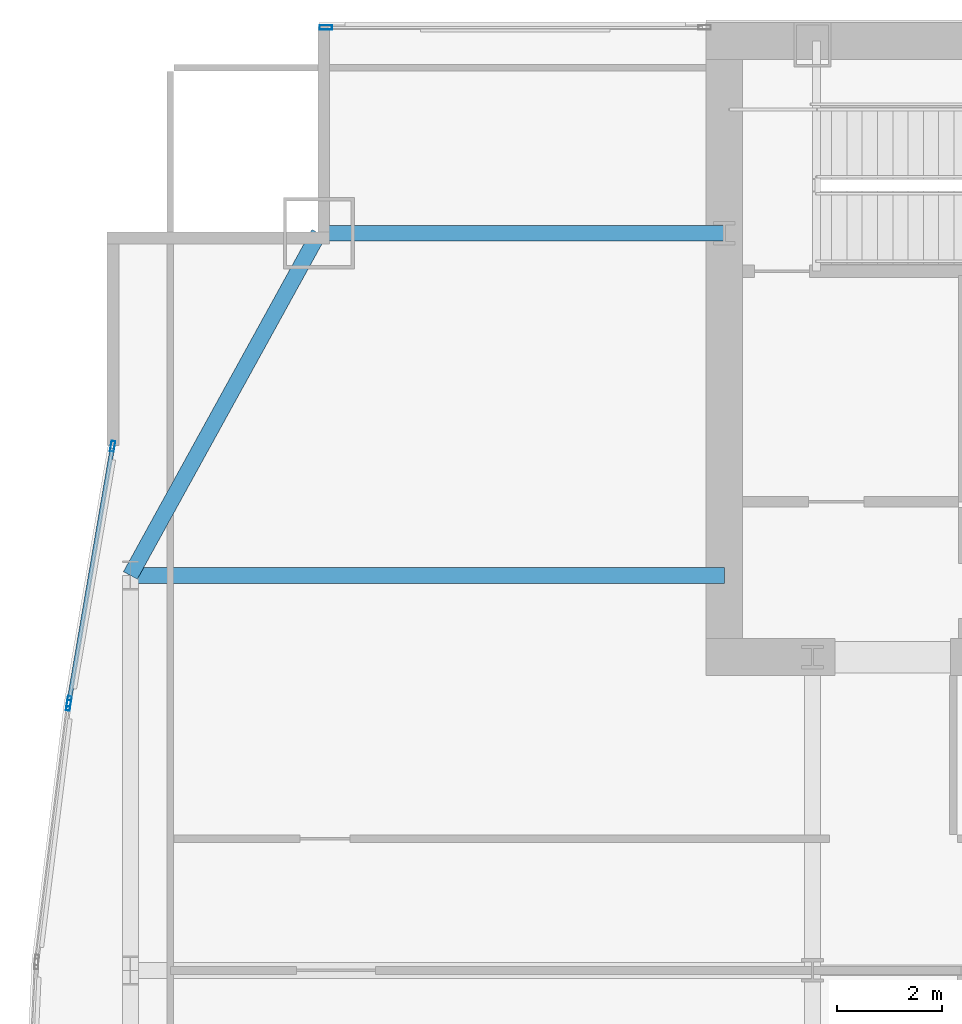
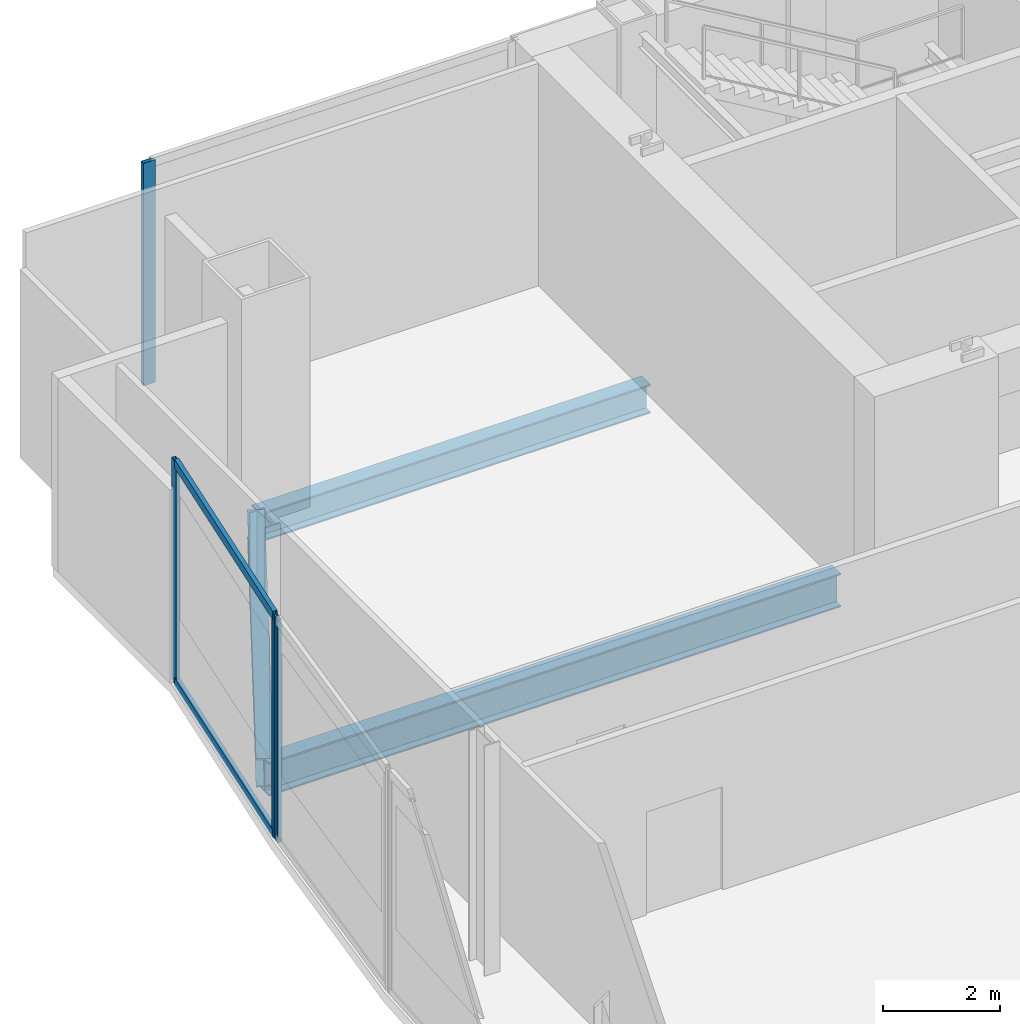
# One storey, part 17 of 30: 6 members, 3 beams, 3 elements without a shape of their own.
"""IFC4 building model written with IfcOpenShell, lengths in metres."""

from ifc_helpers import new_model, si_unit, direction, frame, origin, origin_2d, place, context, subcontext, project, spatial, hollow_rectangle, i_section, extrude, material, material_profile, profile_set, type_object, element, aggregate, save


model = new_model("IFC4")

# Units and contexts
model_context = context("Model", 3, precision=1e-05, world=origin(), true_north=direction((0.0, 1.0)))
body_context = subcontext(model_context, "Body", "Model", "MODEL_VIEW")
ifc_project = project(units=[si_unit("LENGTHUNIT", "METRE"), si_unit("AREAUNIT", "SQUARE_METRE"), si_unit("VOLUMEUNIT", "CUBIC_METRE"), si_unit("PLANEANGLEUNIT", "RADIAN"), si_unit("MASSUNIT", "GRAM", prefix="KILO")], contexts=[model_context])

# Site, building, storey
site_placement = place(None, origin())
site = spatial("IfcSite", under=ifc_project, at=site_placement, CompositionType="ELEMENT")
building_placement = place(site_placement, origin())
building = spatial("IfcBuilding", under=site, at=building_placement, Name="Khoronbel Lancet Exchange", CompositionType="ELEMENT")
storey_placement = place(building_placement, frame((0.0, 0.0, 172.199951171875)))
storey = spatial("IfcBuildingStorey", under=building, at=storey_placement, Name="L43", CompositionType="ELEMENT", Elevation=172.199951171875)

# Beams
ifc_material_1 = material(Name="Steel S355", Category="steel")
ifc_material_profile_1 = material_profile(ifc_material_1, i_section(OverallWidth=0.300048828125, OverallDepth=0.699951171875, WebThickness=0.01708984375, FlangeThickness=0.031982421875, at=origin_2d()), Name="HEB 700")
ifc_profile_set_1 = profile_set([ifc_material_profile_1], Name="Steel S355")
beam_type_1 = type_object("IfcBeamType", Name="BM-BG3", PredefinedType="BEAM", material=ifc_profile_set_1)
beam_1_placement = place(storey_placement, frame((5.27001953125, 43.199951171875, -0.570068359375), z_axis=(1.0, 0.0, 0.0), x_axis=(0.0, 1.0, 0.0)))
element("IfcBeam", 1, at=beam_1_placement, inside=storey, type_object=beam_type_1, Name="Level L43 west lens tie girder LG3W", PredefinedType="BEAM", context=body_context, shape_type="SweptSolid", body=[
    extrude(i_section(OverallWidth=0.300048828125, OverallDepth=0.699951171875, WebThickness=0.01708984375, FlangeThickness=0.031982421875, at=origin_2d()), origin(), (0.0, 0.0, 1.0), 11.280029296875),
])
ifc_material_profile_2 = material_profile(ifc_material_1, i_section(OverallWidth=0.300048828125, OverallDepth=0.60009765625, WebThickness=0.015380859375, FlangeThickness=0.030029296875, at=origin_2d()), Name="HEB 600")
ifc_profile_set_2 = profile_set([ifc_material_profile_2], Name="Steel S355")
beam_type_2 = type_object("IfcBeamType", Name="BM-BSP2", PredefinedType="SPANDREL", material=ifc_profile_set_2)
beam_2_placement = place(storey_placement, frame((8.85009765625, 49.699951171875, -0.52001953125), z_axis=(-0.482444051088, -0.875926787791, 0.0), x_axis=(0.875926787791, -0.482444051088, 0.0)))
element("IfcBeam", 2, at=beam_2_placement, inside=storey, type_object=beam_type_2, Name="Level L43 perimeter spandrel beam SP16", PredefinedType="SPANDREL", context=body_context, shape_type="SweptSolid", body=[
    extrude(i_section(OverallWidth=0.300048828125, OverallDepth=0.60009765625, WebThickness=0.015380859375, FlangeThickness=0.030029296875, at=origin_2d()), origin(), (0.0, 0.0, 1.0), 7.420654296875),
])
beam_3_placement = place(storey_placement, frame((8.85009765625, 49.699951171875, -0.52001953125), z_axis=(1.0, 0.0, 0.0), x_axis=(0.0, 1.0, 0.0)))
element("IfcBeam", 3, at=beam_3_placement, inside=storey, type_object=beam_type_2, Name="Level L43 north flank tie spandrel SP22", PredefinedType="SPANDREL", context=body_context, shape_type="SweptSolid", body=[
    extrude(i_section(OverallWidth=0.300048828125, OverallDepth=0.60009765625, WebThickness=0.015380859375, FlangeThickness=0.030029296875, at=origin_2d()), origin(), (0.0, 0.0, 1.0), 7.699951171875),
])

# Curtain wall, member
ifc_material_2 = material(Name="Low-E Solar Control Insulating Glass", Category="glass")
curtain_wall_type_1 = type_object("IfcCurtainWallType", Name="CW-3", PredefinedType="NOTDEFINED", material=ifc_material_2)
curtain_wall_1_placement = place(storey_placement, origin())
curtain_wall_1 = element("IfcCurtainWall", 4, at=curtain_wall_1_placement, inside=storey, type_object=curtain_wall_type_1, Name="Unitised curtain wall CW-L43-NWFLK", PredefinedType="NOTDEFINED")
ifc_material_3 = material(Name="Bronze-Anodised Aluminium 6063-T6", Category="aluminium")
ifc_material_profile_3 = material_profile(ifc_material_3, hollow_rectangle(XDim=0.0849609375, YDim=0.239990234375, WallThickness=0.006103515625, at=origin_2d()), Name="ALU MULLION 85x240")
ifc_profile_set_3 = profile_set([ifc_material_profile_3], Name="Bronze-Anodised Aluminium 6063-T6")
member_type_1 = type_object("IfcMemberType", Name="MEM-CWM1", PredefinedType="MULLION", material=ifc_profile_set_3)
member_1_placement = place(storey_placement, frame((8.982421875, 53.610107421875, 0.0), z_axis=(0.0, 0.0, 1.0), x_axis=(0.0, -1.0, 0.0)))
member_1 = element("IfcMember", 5, at=member_1_placement, type_object=member_type_1, Name="CW3 mullion 2", PredefinedType="MULLION", context=body_context, shape_type="SweptSolid", body=[
    extrude(hollow_rectangle(XDim=0.0849609375, YDim=0.239990234375, WallThickness=0.006103515625, at=origin_2d()), origin(), (0.0, 0.0, 1.0), 4.64013671875),
])
aggregate(curtain_wall_1, [member_1])

curtain_wall_type_2 = type_object("IfcCurtainWallType", Name="CW-4", PredefinedType="NOTDEFINED", material=ifc_material_2)
curtain_wall_2_placement = place(storey_placement, origin())
curtain_wall_2 = element("IfcCurtainWall", 6, at=curtain_wall_2_placement, inside=storey, type_object=curtain_wall_type_2, Name="Unitised curtain wall CW-L43-E08", PredefinedType="NOTDEFINED")
ifc_material_profile_4 = material_profile(ifc_material_3, hollow_rectangle(XDim=0.074951171875, YDim=0.199951171875, WallThickness=0.0048828125, at=origin_2d()), Name="ALU MULLION 75x200")
ifc_profile_set_4 = profile_set([ifc_material_profile_4], Name="Bronze-Anodised Aluminium 6063-T6")
member_type_2 = type_object("IfcMemberType", Name="MEM-CWM2", PredefinedType="MULLION", material=ifc_profile_set_4)
member_2_placement = place(storey_placement, frame((4.096435546875, 40.73291015625, 0.0), z_axis=(0.0, 0.0, 1.0), x_axis=(-0.992302414475, 0.123838274483, 0.0)))
member_2 = element("IfcMember", 7, at=member_2_placement, type_object=member_type_2, Name="CW4 mullion 2", PredefinedType="MULLION", context=body_context, shape_type="SweptSolid", body=[
    extrude(hollow_rectangle(XDim=0.074951171875, YDim=0.199951171875, WallThickness=0.0048828125, at=origin_2d()), origin(), (0.0, 0.0, 1.0), 4.64013671875),
])
aggregate(curtain_wall_2, [member_2])

# Curtain wall, members
curtain_wall_3_placement = place(storey_placement, origin())
curtain_wall_3 = element("IfcCurtainWall", 8, at=curtain_wall_3_placement, inside=storey, type_object=curtain_wall_type_2, Name="Unitised curtain wall CW-L43-E09", PredefinedType="NOTDEFINED")
member_3_placement = place(storey_placement, frame((4.107421875, 40.80712890625, 0.0), z_axis=(0.0, 0.0, 1.0), x_axis=(-0.985785410135, 0.168009300828, 0.0)))
member_3 = element("IfcMember", 9, at=member_3_placement, type_object=member_type_2, Name="CW4 mullion 1", PredefinedType="MULLION", context=body_context, shape_type="SweptSolid", body=[
    extrude(hollow_rectangle(XDim=0.074951171875, YDim=0.199951171875, WallThickness=0.0048828125, at=origin_2d()), origin(), (0.0, 0.0, 1.0), 4.64013671875),
])
member_4_placement = place(storey_placement, frame((4.93359375, 45.655517578125, 0.0), z_axis=(0.0, 0.0, 1.0), x_axis=(-0.985785410135, 0.168009300828, 0.0)))
member_4 = element("IfcMember", 10, at=member_4_placement, type_object=member_type_2, Name="CW4 mullion 2", PredefinedType="MULLION", context=body_context, shape_type="SweptSolid", body=[
    extrude(hollow_rectangle(XDim=0.074951171875, YDim=0.199951171875, WallThickness=0.0048828125, at=origin_2d()), origin(), (0.0, 0.0, 1.0), 4.64013671875),
])
ifc_material_profile_5 = material_profile(ifc_material_3, hollow_rectangle(XDim=0.0849609375, YDim=0.179931640625, WallThickness=0.0048828125, at=origin_2d()), Name="ALU TRANSOM 85x180")
ifc_profile_set_5 = profile_set([ifc_material_profile_5], Name="Bronze-Anodised Aluminium 6063-T6")
member_type_3 = type_object("IfcMemberType", Name="MEM-CWT1", PredefinedType="USERDEFINED", material=ifc_profile_set_5)
member_5_placement = place(storey_placement, frame((4.11376953125, 40.84423828125, 0.04248046875), z_axis=(0.168019284112, 0.985783708613, 0.0), x_axis=(-0.985783708613, 0.168019284112, 0.0)))
member_5 = element("IfcMember", 11, at=member_5_placement, type_object=member_type_3, Name="CW4 transom 1.1", ObjectType="TRANSOM", PredefinedType="USERDEFINED", context=body_context, shape_type="SweptSolid", body=[
    extrude(hollow_rectangle(XDim=0.0849609375, YDim=0.179931640625, WallThickness=0.0048828125, at=origin_2d()), origin(), (0.0, 0.0, 1.0), 4.843017578125),
])
member_6_placement = place(storey_placement, frame((4.11376953125, 40.84423828125, 4.59765625), z_axis=(0.168019284112, 0.985783708613, 0.0), x_axis=(-0.985783708613, 0.168019284112, 0.0)))
member_6 = element("IfcMember", 12, at=member_6_placement, type_object=member_type_3, Name="CW4 transom 1.2", ObjectType="TRANSOM", PredefinedType="USERDEFINED", context=body_context, shape_type="SweptSolid", body=[
    extrude(hollow_rectangle(XDim=0.0849609375, YDim=0.179931640625, WallThickness=0.0048828125, at=origin_2d()), origin(), (0.0, 0.0, 1.0), 4.843017578125),
])
aggregate(curtain_wall_3, [member_3, member_4, member_5, member_6])

save(model, "model.ifc")
